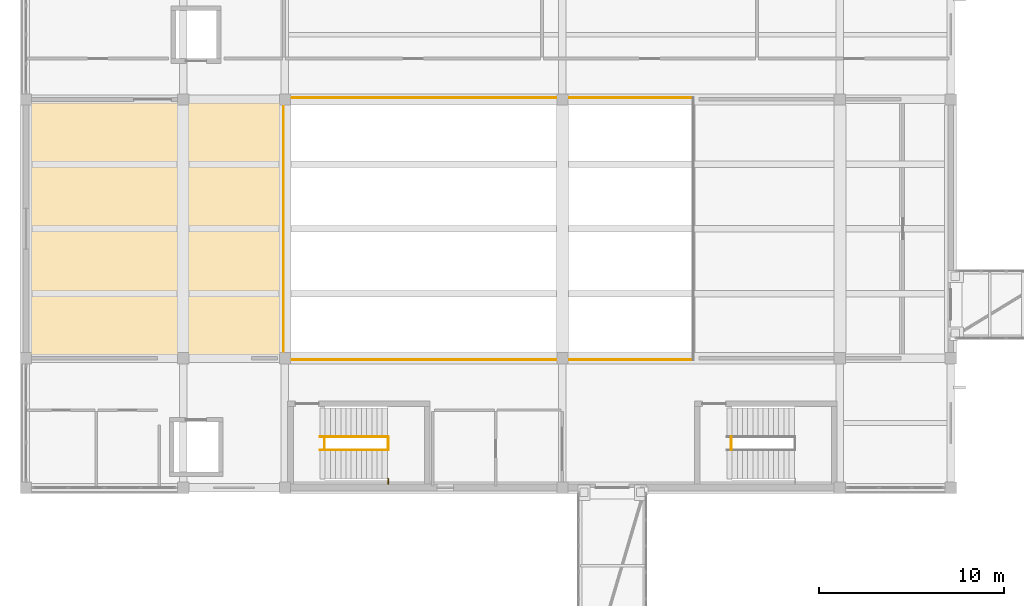
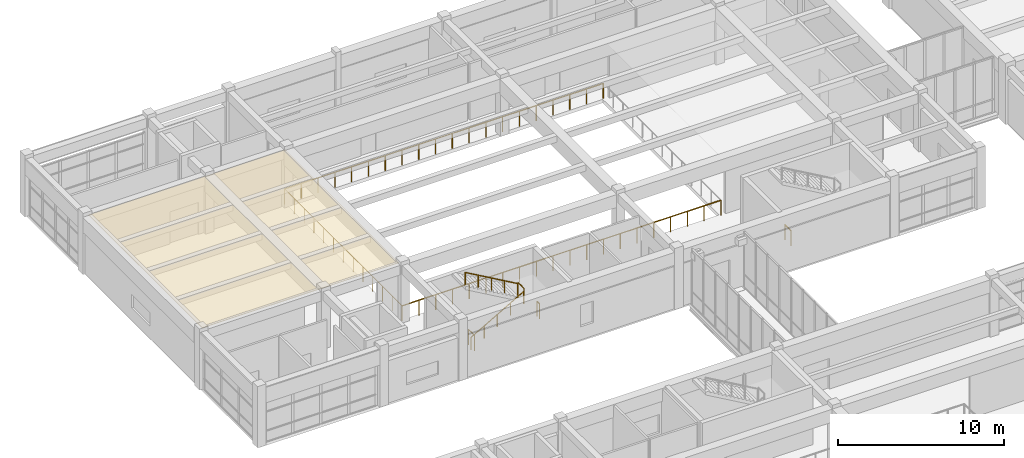
# One storey, part 63 of 72: 9 railings, 1 covering.
"""IFC4 building model written with IfcOpenShell, lengths in metres."""

from ifc_helpers import new_model, si_unit, direction, frame, origin, origin_2d, place, context, subcontext, project, spatial, polyline, circle, outline, extrude, material, layer, layer_set, type_object, element, save


model = new_model("IFC4")

# Units and contexts
model_context = context("Model", 3, precision=1e-05, world=origin(), true_north=direction((0.0, 1.0)))
body_context = subcontext(model_context, "Body", "Model", "MODEL_VIEW")
ifc_project = project(units=[si_unit("LENGTHUNIT", "METRE"), si_unit("AREAUNIT", "SQUARE_METRE"), si_unit("VOLUMEUNIT", "CUBIC_METRE"), si_unit("PLANEANGLEUNIT", "RADIAN"), si_unit("MASSUNIT", "GRAM", prefix="KILO")], contexts=[model_context])

# Site, building, storey
site_placement = place(None, origin())
site = spatial("IfcSite", under=ifc_project, at=site_placement, CompositionType="ELEMENT")
building_placement = place(site_placement, origin())
building = spatial("IfcBuilding", under=site, at=building_placement, Name="Naurynzar Civic Courthouse", CompositionType="ELEMENT")
storey_placement = place(building_placement, frame((0.0, 0.0, 9.89990234375)))
storey = spatial("IfcBuildingStorey", under=building, at=storey_placement, Name="L03", CompositionType="ELEMENT", Elevation=9.89990234375)

# Covering
ifc_material_1 = material(Name="Acoustic Oak Timber Grade A", Category="wood")
ifc_layer = layer(ifc_material_1, 0.044921875)
ifc_layer_set = layer_set([ifc_layer], Name="CEIL-ACOUSTIC-OAK-45")
covering_type = type_object("IfcCoveringType", Name="CEIL-ACOUSTIC-OAK-45", PredefinedType="CEILING", material=ifc_layer_set)
covering_placement = place(storey_placement, frame((0.0, 0.0, 4.114990234375)))
element("IfcCovering", 1, at=covering_placement, inside=storey, type_object=covering_type, Name="Acoustic suspended ceiling Ceremonial Court Public Gallery", PredefinedType="CEILING", context=body_context, shape_type="SweptSolid", body=[
    extrude(outline(polyline([(6.159912109375, 64.840087890625), (19.840087890625, 64.840087890625), (19.840087890625, 51.159912109375), (6.159912109375, 51.159912109375), (6.159912109375, 64.840087890625)])), origin(), (0.0, 0.0, 1.0), 0.045166015625),
])

# Railings
ifc_material_2 = material(Name="Brushed Stainless Steel 304", Category="steel")
railing_type_1 = type_object("IfcRailingType", Name="RAIL-BAL-1100", PredefinedType="BALUSTRADE", material=ifc_material_2)
railing_1_placement = place(storey_placement, frame((19.919921875, 50.919921875, 0.0)))
element("IfcRailing", 2, at=railing_1_placement, inside=storey, type_object=railing_type_1, Name="Atrium gallery balustrade guard GR-VOID-V1-L03.1", PredefinedType="BALUSTRADE", context=body_context, shape_type="SweptSolid", body=[
    extrude(circle(Radius=0.02392578125, at=origin_2d()), frame((0.0, 0.0, 1.09619140625), z_axis=(1.0, 0.0, 0.0), x_axis=(0.0, 1.0, 0.0)), (0.0, 0.0, 1.0), 22.16015625),
    extrude(circle(Radius=0.02099609375, at=origin_2d()), origin(), (0.0, 0.0, 1.0), 1.072021484375),
    extrude(circle(Radius=0.02099609375, at=origin_2d()), frame((1.166259765625, 0.0, 0.0)), (0.0, 0.0, 1.0), 1.072021484375),
    extrude(circle(Radius=0.02099609375, at=origin_2d()), frame((2.332763671875, 0.0, 0.0)), (0.0, 0.0, 1.0), 1.072021484375),
    extrude(circle(Radius=0.02099609375, at=origin_2d()), frame((3.4990234375, 0.0, 0.0)), (0.0, 0.0, 1.0), 1.072021484375),
    extrude(circle(Radius=0.02099609375, at=origin_2d()), frame((4.665283203125, 0.0, 0.0)), (0.0, 0.0, 1.0), 1.072021484375),
    extrude(circle(Radius=0.02099609375, at=origin_2d()), frame((5.83154296875, 0.0, 0.0)), (0.0, 0.0, 1.0), 1.072021484375),
    extrude(circle(Radius=0.02099609375, at=origin_2d()), frame((6.998046875, 0.0, 0.0)), (0.0, 0.0, 1.0), 1.072021484375),
    extrude(circle(Radius=0.02099609375, at=origin_2d()), frame((8.164306640625, 0.0, 0.0)), (0.0, 0.0, 1.0), 1.072021484375),
    extrude(circle(Radius=0.02099609375, at=origin_2d()), frame((9.33056640625, 0.0, 0.0)), (0.0, 0.0, 1.0), 1.072021484375),
    extrude(circle(Radius=0.02099609375, at=origin_2d()), frame((10.496826171875, 0.0, 0.0)), (0.0, 0.0, 1.0), 1.072021484375),
    extrude(circle(Radius=0.02099609375, at=origin_2d()), frame((11.663330078125, 0.0, 0.0)), (0.0, 0.0, 1.0), 1.072021484375),
    extrude(circle(Radius=0.02099609375, at=origin_2d()), frame((12.82958984375, 0.0, 0.0)), (0.0, 0.0, 1.0), 1.072021484375),
    extrude(circle(Radius=0.02099609375, at=origin_2d()), frame((13.995849609375, 0.0, 0.0)), (0.0, 0.0, 1.0), 1.072021484375),
    extrude(circle(Radius=0.02099609375, at=origin_2d()), frame((15.162109375, 0.0, 0.0)), (0.0, 0.0, 1.0), 1.072021484375),
    extrude(circle(Radius=0.02099609375, at=origin_2d()), frame((16.32861328125, 0.0, 0.0)), (0.0, 0.0, 1.0), 1.072021484375),
    extrude(circle(Radius=0.02099609375, at=origin_2d()), frame((17.494873046875, 0.0, 0.0)), (0.0, 0.0, 1.0), 1.072021484375),
    extrude(circle(Radius=0.02099609375, at=origin_2d()), frame((18.6611328125, 0.0, 0.0)), (0.0, 0.0, 1.0), 1.072021484375),
    extrude(circle(Radius=0.02099609375, at=origin_2d()), frame((19.827392578125, 0.0, 0.0)), (0.0, 0.0, 1.0), 1.072021484375),
    extrude(circle(Radius=0.02099609375, at=origin_2d()), frame((20.993896484375, 0.0, 0.0)), (0.0, 0.0, 1.0), 1.072021484375),
    extrude(circle(Radius=0.02099609375, at=origin_2d()), frame((22.16015625, 0.0, 0.0)), (0.0, 0.0, 1.0), 1.072021484375),
])
railing_2_placement = place(storey_placement, frame((42.080078125, 65.080078125, 0.0)))
element("IfcRailing", 3, at=railing_2_placement, inside=storey, type_object=railing_type_1, Name="Atrium gallery balustrade guard GR-VOID-V1-L03.3", PredefinedType="BALUSTRADE", context=body_context, shape_type="SweptSolid", body=[
    extrude(circle(Radius=0.02392578125, at=origin_2d()), frame((0.0, 0.0, 1.09619140625), z_axis=(-1.0, 0.0, 0.0), x_axis=(0.0, -1.0, 0.0)), (0.0, 0.0, 1.0), 22.16015625),
    extrude(circle(Radius=0.02099609375, at=origin_2d()), origin(), (0.0, 0.0, 1.0), 1.072021484375),
    extrude(circle(Radius=0.02099609375, at=origin_2d()), frame((-1.166259765625, 0.0, 0.0)), (0.0, 0.0, 1.0), 1.072021484375),
    extrude(circle(Radius=0.02099609375, at=origin_2d()), frame((-2.332763671875, 0.0, 0.0)), (0.0, 0.0, 1.0), 1.072021484375),
    extrude(circle(Radius=0.02099609375, at=origin_2d()), frame((-3.4990234375, 0.0, 0.0)), (0.0, 0.0, 1.0), 1.072021484375),
    extrude(circle(Radius=0.02099609375, at=origin_2d()), frame((-4.665283203125, 0.0, 0.0)), (0.0, 0.0, 1.0), 1.072021484375),
    extrude(circle(Radius=0.02099609375, at=origin_2d()), frame((-5.83154296875, 0.0, 0.0)), (0.0, 0.0, 1.0), 1.072021484375),
    extrude(circle(Radius=0.02099609375, at=origin_2d()), frame((-6.998046875, 0.0, 0.0)), (0.0, 0.0, 1.0), 1.072021484375),
    extrude(circle(Radius=0.02099609375, at=origin_2d()), frame((-8.164306640625, 0.0, 0.0)), (0.0, 0.0, 1.0), 1.072021484375),
    extrude(circle(Radius=0.02099609375, at=origin_2d()), frame((-9.33056640625, 0.0, 0.0)), (0.0, 0.0, 1.0), 1.072021484375),
    extrude(circle(Radius=0.02099609375, at=origin_2d()), frame((-10.496826171875, 0.0, 0.0)), (0.0, 0.0, 1.0), 1.072021484375),
    extrude(circle(Radius=0.02099609375, at=origin_2d()), frame((-11.663330078125, 0.0, 0.0)), (0.0, 0.0, 1.0), 1.072021484375),
    extrude(circle(Radius=0.02099609375, at=origin_2d()), frame((-12.82958984375, 0.0, 0.0)), (0.0, 0.0, 1.0), 1.072021484375),
    extrude(circle(Radius=0.02099609375, at=origin_2d()), frame((-13.995849609375, 0.0, 0.0)), (0.0, 0.0, 1.0), 1.072021484375),
    extrude(circle(Radius=0.02099609375, at=origin_2d()), frame((-15.162109375, 0.0, 0.0)), (0.0, 0.0, 1.0), 1.072021484375),
    extrude(circle(Radius=0.02099609375, at=origin_2d()), frame((-16.32861328125, 0.0, 0.0)), (0.0, 0.0, 1.0), 1.072021484375),
    extrude(circle(Radius=0.02099609375, at=origin_2d()), frame((-17.494873046875, 0.0, 0.0)), (0.0, 0.0, 1.0), 1.072021484375),
    extrude(circle(Radius=0.02099609375, at=origin_2d()), frame((-18.6611328125, 0.0, 0.0)), (0.0, 0.0, 1.0), 1.072021484375),
    extrude(circle(Radius=0.02099609375, at=origin_2d()), frame((-19.827392578125, 0.0, 0.0)), (0.0, 0.0, 1.0), 1.072021484375),
    extrude(circle(Radius=0.02099609375, at=origin_2d()), frame((-20.993896484375, 0.0, 0.0)), (0.0, 0.0, 1.0), 1.072021484375),
    extrude(circle(Radius=0.02099609375, at=origin_2d()), frame((-22.16015625, 0.0, 0.0)), (0.0, 0.0, 1.0), 1.072021484375),
])
railing_3_placement = place(storey_placement, frame((19.919921875, 65.080078125, 0.0)))
element("IfcRailing", 4, at=railing_3_placement, inside=storey, type_object=railing_type_1, Name="Atrium gallery balustrade guard GR-VOID-V1-L03.4", PredefinedType="BALUSTRADE", context=body_context, shape_type="SweptSolid", body=[
    extrude(circle(Radius=0.02392578125, at=origin_2d()), frame((0.0, 0.0, 1.09619140625), z_axis=(0.0, -1.0, 0.0), x_axis=(1.0, 0.0, 0.0)), (0.0, 0.0, 1.0), 14.16015625),
    extrude(circle(Radius=0.02099609375, at=origin_2d()), origin(), (0.0, 0.0, 1.0), 1.072021484375),
    extrude(circle(Radius=0.02099609375, at=origin_2d()), frame((0.0, -1.179931640625, 0.0)), (0.0, 0.0, 1.0), 1.072021484375),
    extrude(circle(Radius=0.02099609375, at=origin_2d()), frame((0.0, -2.360107421875, 0.0)), (0.0, 0.0, 1.0), 1.072021484375),
    extrude(circle(Radius=0.02099609375, at=origin_2d()), frame((0.0, -3.5400390625, 0.0)), (0.0, 0.0, 1.0), 1.072021484375),
    extrude(circle(Radius=0.02099609375, at=origin_2d()), frame((0.0, -4.719970703125, 0.0)), (0.0, 0.0, 1.0), 1.072021484375),
    extrude(circle(Radius=0.02099609375, at=origin_2d()), frame((0.0, -5.900146484375, 0.0)), (0.0, 0.0, 1.0), 1.072021484375),
    extrude(circle(Radius=0.02099609375, at=origin_2d()), frame((0.0, -7.080078125, 0.0)), (0.0, 0.0, 1.0), 1.072021484375),
    extrude(circle(Radius=0.02099609375, at=origin_2d()), frame((0.0, -8.260009765625, 0.0)), (0.0, 0.0, 1.0), 1.072021484375),
    extrude(circle(Radius=0.02099609375, at=origin_2d()), frame((0.0, -9.440185546875, 0.0)), (0.0, 0.0, 1.0), 1.072021484375),
    extrude(circle(Radius=0.02099609375, at=origin_2d()), frame((0.0, -10.6201171875, 0.0)), (0.0, 0.0, 1.0), 1.072021484375),
    extrude(circle(Radius=0.02099609375, at=origin_2d()), frame((0.0, -11.800048828125, 0.0)), (0.0, 0.0, 1.0), 1.072021484375),
    extrude(circle(Radius=0.02099609375, at=origin_2d()), frame((0.0, -12.980224609375, 0.0)), (0.0, 0.0, 1.0), 1.072021484375),
    extrude(circle(Radius=0.02099609375, at=origin_2d()), frame((0.0, -14.16015625, 0.0)), (0.0, 0.0, 1.0), 1.072021484375),
])
for number, where, name in (
    (5, (22.139892578125, 46.0400390625, 0.0), "Stair ST-V1A floor well slot guard L03"),
    (6, (25.580078125, 46.0400390625, 2.25), "Stair ST-V1A-L03 half-landing well guard"),
):
    element("IfcRailing", number, at=place(storey_placement, frame(where)), inside=storey, type_object=railing_type_1, Name=name, PredefinedType="BALUSTRADE", context=body_context, shape_type="SweptSolid", body=[
        extrude(circle(Radius=0.02392578125, at=origin_2d()), frame((0.0, 0.0, 1.09619140625), z_axis=(0.0, 1.0, 0.0), x_axis=(-1.0, 0.0, 0.0)), (0.0, 0.0, 1.0), 0.719970703125),
        extrude(circle(Radius=0.02099609375, at=origin_2d()), origin(), (0.0, 0.0, 1.0), 1.072021484375),
        extrude(circle(Radius=0.02099609375, at=origin_2d()), frame((0.0, 0.719970703125, 0.0)), (0.0, 0.0, 1.0), 1.072021484375),
    ])
railing_4_placement = place(storey_placement, frame((25.580078125, 44.195068359375, 2.25)))
element("IfcRailing", 7, at=railing_4_placement, inside=storey, type_object=railing_type_1, Name="Stair ST-V1A-L03 half-landing south slot guard", PredefinedType="BALUSTRADE", context=body_context, shape_type="SweptSolid", body=[
    extrude(circle(Radius=0.02392578125, at=origin_2d()), frame((0.0, 0.0, 1.09619140625), z_axis=(0.0, 1.0, 0.0), x_axis=(-1.0, 0.0, 0.0)), (0.0, 0.0, 1.0), 0.284912109375),
    extrude(circle(Radius=0.02099609375, at=origin_2d()), origin(), (0.0, 0.0, 1.0), 1.072021484375),
    extrude(circle(Radius=0.02099609375, at=origin_2d()), frame((0.0, 0.284912109375, 0.0)), (0.0, 0.0, 1.0), 1.072021484375),
])
railing_5_placement = place(storey_placement, frame((44.139892578125, 46.0400390625, 0.0)))
element("IfcRailing", 8, at=railing_5_placement, inside=storey, type_object=railing_type_1, Name="Stair ST-V1B floor well slot guard L03", PredefinedType="BALUSTRADE", context=body_context, shape_type="SweptSolid", body=[
    extrude(circle(Radius=0.02392578125, at=origin_2d()), frame((0.0, 0.0, 1.09619140625), z_axis=(0.0, 1.0, 0.0), x_axis=(-1.0, 0.0, 0.0)), (0.0, 0.0, 1.0), 0.719970703125),
    extrude(circle(Radius=0.02099609375, at=origin_2d()), origin(), (0.0, 0.0, 1.0), 1.072021484375),
    extrude(circle(Radius=0.02099609375, at=origin_2d()), frame((0.0, 0.719970703125, 0.0)), (0.0, 0.0, 1.0), 1.072021484375),
])
ifc_material_3 = material(Name="Brushed Stainless Steel 304", Category="steel")
railing_type_2 = type_object("IfcRailingType", Name="RAIL-HR-900", PredefinedType="HANDRAIL", material=ifc_material_3)
railing_6_placement = place(storey_placement, frame((21.89990234375, 46.0400390625, 0.160888671875)))
element("IfcRailing", 9, at=railing_6_placement, inside=storey, type_object=railing_type_2, Name="Stair ST-V1A-L03 flight 1 handrail", PredefinedType="HANDRAIL", context=body_context, shape_type="SweptSolid", body=[
    extrude(circle(Radius=0.02392578125, at=origin_2d()), frame((0.0, 0.0, 0.8759765625), z_axis=(0.867314486057, 0.0, 0.497760567216), x_axis=(0.0, 1.0, 0.0)), (0.0, 0.0, 1.0), 4.197021484375),
    extrude(circle(Radius=0.02099609375, at=origin_2d()), origin(), (0.0, 0.0, 1.0), 0.851806640625),
    extrude(circle(Radius=0.02099609375, at=origin_2d()), frame((0.91015625, 0.0, 0.522216796875)), (0.0, 0.0, 1.0), 0.851806640625),
    extrude(circle(Radius=0.02099609375, at=origin_2d()), frame((1.820068359375, 0.0, 1.04443359375)), (0.0, 0.0, 1.0), 0.851806640625),
    extrude(circle(Radius=0.02099609375, at=origin_2d()), frame((2.72998046875, 0.0, 1.56689453125)), (0.0, 0.0, 1.0), 0.851806640625),
    extrude(circle(Radius=0.02099609375, at=origin_2d()), frame((3.64013671875, 0.0, 2.089111328125)), (0.0, 0.0, 1.0), 0.851806640625),
])
railing_7_placement = place(storey_placement, frame((25.5400390625, 46.760009765625, 2.410888671875)))
element("IfcRailing", 10, at=railing_7_placement, inside=storey, type_object=railing_type_2, Name="Stair ST-V1A-L03 flight 2 handrail", PredefinedType="HANDRAIL", context=body_context, shape_type="SweptSolid", body=[
    extrude(circle(Radius=0.02392578125, at=origin_2d()), frame((0.0, 0.0, 0.8759765625), z_axis=(-0.867314486057, 0.0, 0.497760567216), x_axis=(0.0, -1.0, 0.0)), (0.0, 0.0, 1.0), 4.197021484375),
    extrude(circle(Radius=0.02099609375, at=origin_2d()), origin(), (0.0, 0.0, 1.0), 0.851806640625),
    extrude(circle(Radius=0.02099609375, at=origin_2d()), frame((-0.91015625, 0.0, 0.522216796875)), (0.0, 0.0, 1.0), 0.851806640625),
    extrude(circle(Radius=0.02099609375, at=origin_2d()), frame((-1.820068359375, 0.0, 1.04443359375)), (0.0, 0.0, 1.0), 0.851806640625),
    extrude(circle(Radius=0.02099609375, at=origin_2d()), frame((-2.72998046875, 0.0, 1.56689453125)), (0.0, 0.0, 1.0), 0.851806640625),
    extrude(circle(Radius=0.02099609375, at=origin_2d()), frame((-3.64013671875, 0.0, 2.089111328125)), (0.0, 0.0, 1.0), 0.851806640625),
])

save(model, "model.ifc")
